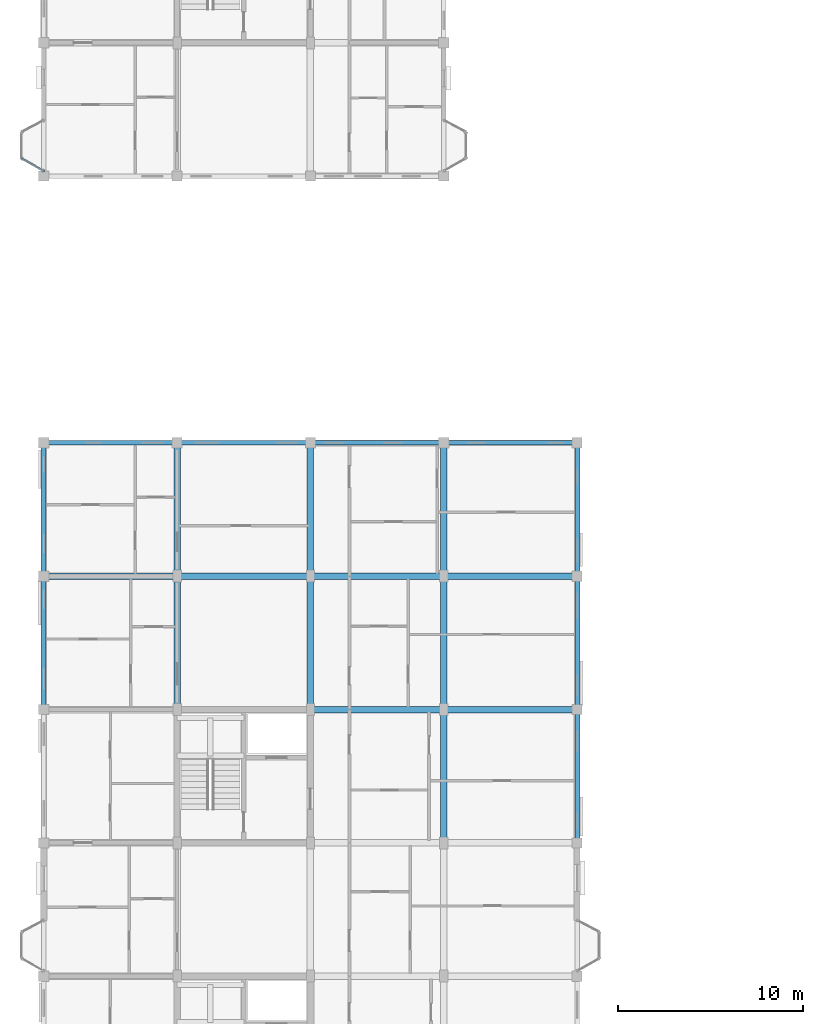
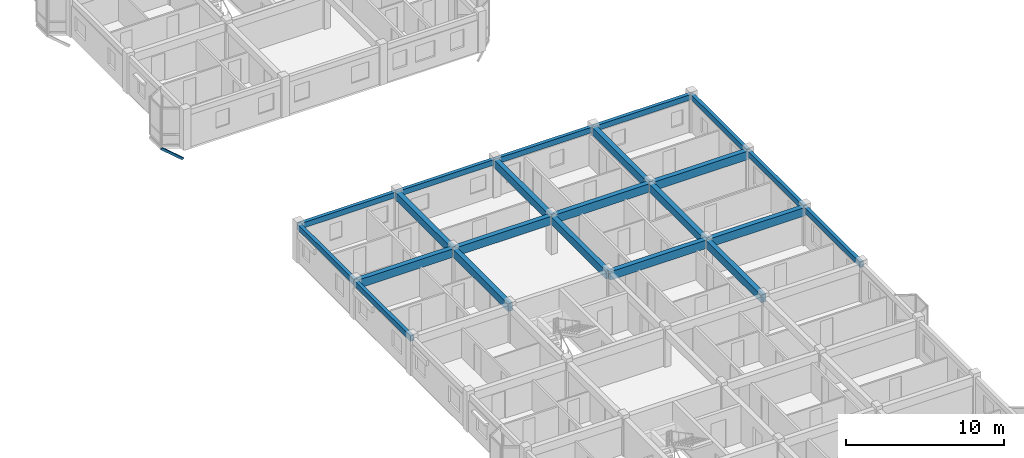
# One storey, part 12 of 77: 22 beams, 1 member.
"""IFC4 building model written with IfcOpenShell, lengths in metres."""

from ifc_helpers import new_model, si_unit, direction, frame, origin, origin_2d, place, context, subcontext, project, spatial, rectangle, hollow_rectangle, extrude, material, material_profile, profile_set, type_object, element, save


model = new_model("IFC4")

# Units and contexts
model_context = context("Model", 3, precision=1e-05, world=origin(), true_north=direction((0.0, 1.0)))
body_context = subcontext(model_context, "Body", "Model", "MODEL_VIEW")
ifc_project = project(units=[si_unit("LENGTHUNIT", "METRE"), si_unit("AREAUNIT", "SQUARE_METRE"), si_unit("VOLUMEUNIT", "CUBIC_METRE"), si_unit("PLANEANGLEUNIT", "RADIAN"), si_unit("MASSUNIT", "GRAM", prefix="KILO"), si_unit("THERMODYNAMICTEMPERATUREUNIT", "KELVIN"), si_unit("POWERUNIT", "WATT")], contexts=[model_context])

# Site, building, storey
site_placement = place(None, origin())
site = spatial("IfcSite", under=ifc_project, at=site_placement, CompositionType="ELEMENT")
building_placement = place(site_placement, origin())
building = spatial("IfcBuilding", under=site, at=building_placement, Name="Tavuni Mirador Residences", CompositionType="ELEMENT")
storey_placement = place(building_placement, frame((0.0, 0.0, 17.10009765625)))
storey = spatial("IfcBuildingStorey", under=building, at=storey_placement, Name="L05", CompositionType="ELEMENT", Elevation=17.10009765625)

# Beams
ifc_material_1 = material(Name="Precast concrete C40/50", Category="concrete")
ifc_material_profile_1 = material_profile(ifc_material_1, rectangle(XDim=0.35009765625, YDim=0.60009765625, at=origin_2d()), Name="PC 350x600", Category="concrete")
ifc_profile_set_1 = profile_set([ifc_material_profile_1], Name="Precast concrete C40/50")
beam_type_1 = type_object("IfcBeamType", Name="BT-B600", PredefinedType="BEAM", material=ifc_profile_set_1)
for number, where, z_axis, x_axis, name in (
    (1, (10.800048828125, 36.0, 2.56982421875), (0.0, 1.0, 0.0), (-1.0, 0.0, 0.0), "BMY-BLK-A-L05-01-04"),
    (2, (10.800048828125, 43.199951171875, 2.56982421875), (0.0, 1.0, 0.0), (-1.0, 0.0, 0.0), "BMY-BLK-A-L05-01-05"),
    (3, (18.0, 36.0, 2.56982421875), (0.0, 1.0, 0.0), (-1.0, 0.0, 0.0), "BMY-BLK-A-L05-02-04"),
    (4, (18.0, 43.199951171875, 2.56982421875), (0.0, 1.0, 0.0), (-1.0, 0.0, 0.0), "BMY-BLK-A-L05-02-05"),
    (5, (25.199951171875, 28.800048828125, 2.56982421875), (0.0, 1.0, 0.0), (-1.0, 0.0, 0.0), "BMY-BLK-A-L05-03-03"),
    (6, (25.199951171875, 36.0, 2.56982421875), (0.0, 1.0, 0.0), (-1.0, 0.0, 0.0), "BMY-BLK-A-L05-03-04"),
    (7, (25.199951171875, 43.199951171875, 2.56982421875), (0.0, 1.0, 0.0), (-1.0, 0.0, 0.0), "BMY-BLK-A-L05-03-05"),
):
    element("IfcBeam", number, at=place(storey_placement, frame(where, z_axis=z_axis, x_axis=x_axis)), inside=storey, type_object=beam_type_1, Name=name, PredefinedType="BEAM", context=body_context, shape_type="SweptSolid", body=[
        extrude(rectangle(XDim=0.35009765625, YDim=0.60009765625, at=origin_2d()), origin(), (0.0, 0.0, 1.0), 7.199951171875),
    ])
ifc_material_profile_2 = material_profile(ifc_material_1, rectangle(XDim=0.35009765625, YDim=0.64990234375, at=origin_2d()), Name="PC 350x650", Category="concrete")
ifc_profile_set_2 = profile_set([ifc_material_profile_2], Name="Precast concrete C40/50")
beam_type_2 = type_object("IfcBeamType", Name="BT-B650", PredefinedType="BEAM", material=ifc_profile_set_2)
for number, where, z_axis, x_axis, name in (
    (8, (18.0, 36.0, 2.544921875), (1.0, 0.0, 0.0), (0.0, 1.0, 0.0), "BMX-BLK-A-L05-02-04"),
    (9, (25.199951171875, 36.0, 2.544921875), (1.0, 0.0, 0.0), (0.0, 1.0, 0.0), "BMX-BLK-A-L05-03-04"),
    (10, (3.60009765625, 43.199951171875, 2.544921875), (1.0, 0.0, 0.0), (0.0, 1.0, 0.0), "BMX-BLK-A-L05-00-05"),
    (11, (10.800048828125, 43.199951171875, 2.544921875), (1.0, 0.0, 0.0), (0.0, 1.0, 0.0), "BMX-BLK-A-L05-01-05"),
    (12, (18.0, 43.199951171875, 2.544921875), (1.0, 0.0, 0.0), (0.0, 1.0, 0.0), "BMX-BLK-A-L05-02-05"),
    (13, (25.199951171875, 43.199951171875, 2.544921875), (1.0, 0.0, 0.0), (0.0, 1.0, 0.0), "BMX-BLK-A-L05-03-05"),
):
    element("IfcBeam", number, at=place(storey_placement, frame(where, z_axis=z_axis, x_axis=x_axis)), inside=storey, type_object=beam_type_2, Name=name, PredefinedType="BEAM", context=body_context, shape_type="SweptSolid", body=[
        extrude(rectangle(XDim=0.35009765625, YDim=0.64990234375, at=origin_2d()), origin(), (0.0, 0.0, 1.0), 7.199951171875),
    ])
ifc_material_profile_3 = material_profile(ifc_material_1, rectangle(XDim=0.25, YDim=0.419921875, at=origin_2d()), Name="PC 250x420", Category="concrete")
ifc_profile_set_3 = profile_set([ifc_material_profile_3], Name="Precast concrete C40/50")
beam_type_3 = type_object("IfcBeamType", Name="BT-SP420", PredefinedType="SPANDREL", material=ifc_profile_set_3)
for number, where, z_axis, x_axis, name in (
    (14, (3.60009765625, 50.39990234375, 2.659912109375), (1.0, 0.0, 0.0), (0.0, 1.0, 0.0), "BMX-BLK-A-L05-00-06"),
    (15, (10.800048828125, 50.39990234375, 2.659912109375), (1.0, 0.0, 0.0), (0.0, 1.0, 0.0), "BMX-BLK-A-L05-01-06"),
    (16, (18.0, 50.39990234375, 2.659912109375), (1.0, 0.0, 0.0), (0.0, 1.0, 0.0), "BMX-BLK-A-L05-02-06"),
    (17, (25.199951171875, 50.39990234375, 2.659912109375), (1.0, 0.0, 0.0), (0.0, 1.0, 0.0), "BMX-BLK-A-L05-03-06"),
    (18, (3.60009765625, 36.0, 2.659912109375), (0.0, 1.0, 0.0), (-1.0, 0.0, 0.0), "BMY-BLK-A-L05-00-04"),
    (19, (3.60009765625, 43.199951171875, 2.659912109375), (0.0, 1.0, 0.0), (-1.0, 0.0, 0.0), "BMY-BLK-A-L05-00-05"),
    (20, (32.39990234375, 28.800048828125, 2.659912109375), (0.0, 1.0, 0.0), (-1.0, 0.0, 0.0), "BMY-BLK-A-L05-04-03"),
    (21, (32.39990234375, 36.0, 2.659912109375), (0.0, 1.0, 0.0), (-1.0, 0.0, 0.0), "BMY-BLK-A-L05-04-04"),
    (22, (32.39990234375, 43.199951171875, 2.659912109375), (0.0, 1.0, 0.0), (-1.0, 0.0, 0.0), "BMY-BLK-A-L05-04-05"),
):
    element("IfcBeam", number, at=place(storey_placement, frame(where, z_axis=z_axis, x_axis=x_axis)), inside=storey, type_object=beam_type_3, Name=name, PredefinedType="SPANDREL", context=body_context, shape_type="SweptSolid", body=[
        extrude(rectangle(XDim=0.25, YDim=0.419921875, at=origin_2d()), origin(), (0.0, 0.0, 1.0), 7.199951171875),
    ])

# Member
ifc_material_2 = material(Name="Structural steel S355", Category="steel")
ifc_material_profile_4 = material_profile(ifc_material_2, hollow_rectangle(XDim=0.10009765625, YDim=0.179931640625, WallThickness=0.008056640625, at=origin_2d()), Name="RHS 180x100x8.0", Category="steel")
ifc_profile_set_4 = profile_set([ifc_material_profile_4], Name="Structural steel S355")
member_type = type_object("IfcMemberType", Name="MT-BR-RHS180", PredefinedType="BRACE", material=ifc_profile_set_4)
member_placement = place(storey_placement, frame((3.60009765625, 65.074951171875, -1.050048828125), z_axis=(-0.749249090491, 0.427663333588, 0.505697412988), x_axis=(-0.495720321961, -0.868482217662, 0.0)))
element("IfcMember", 23, at=member_placement, inside=storey, type_object=member_type, Name="MBRK-MIR-B-W1-L05-1", PredefinedType="BRACE", context=body_context, shape_type="SweptSolid", body=[
    extrude(hollow_rectangle(XDim=0.10009765625, YDim=0.179931640625, WallThickness=0.008056640625, at=origin_2d()), origin(), (0.0, 0.0, 1.0), 1.601806640625),
])

save(model, "model.ifc")
